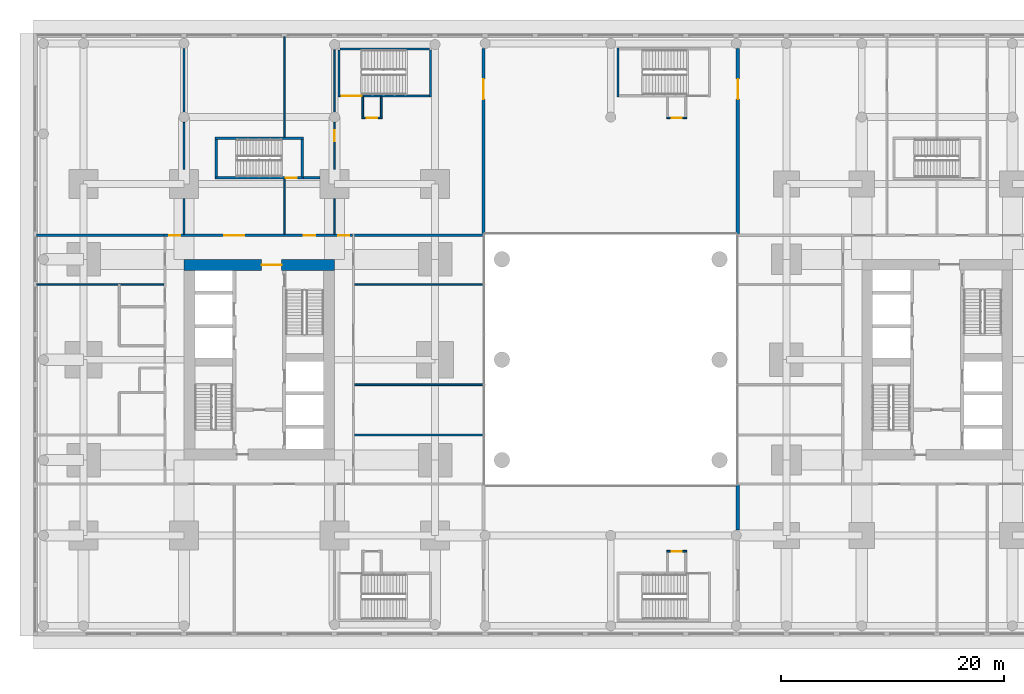
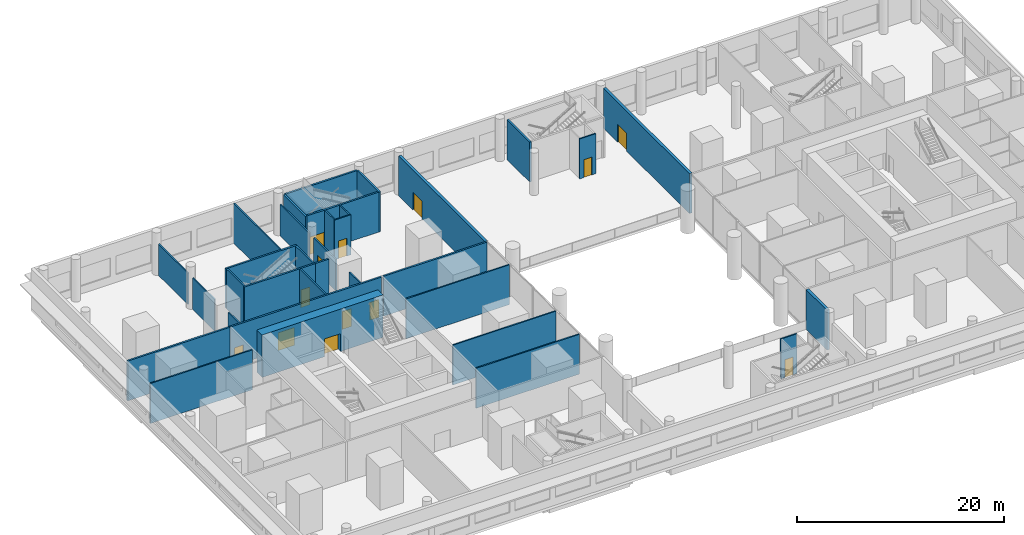
# One storey, part 13 of 22: 34 walls, 13 doors, 13 openings.
"""IFC4 building model written with IfcOpenShell, lengths in metres."""

from ifc_helpers import new_model, si_unit, direction, frame, frame_2d, origin, place, context, subcontext, project, spatial, rectangle, extrude, material, layer, layer_set, type_object, element, fill, save


model = new_model("IFC4")

# Units and contexts
model_context = context("Model", 3, precision=1e-05, world=origin(), true_north=direction((0.0, 1.0)))
body_context = subcontext(model_context, "Body", "Model", "MODEL_VIEW")
ifc_project = project(units=[si_unit("LENGTHUNIT", "METRE"), si_unit("AREAUNIT", "SQUARE_METRE"), si_unit("VOLUMEUNIT", "CUBIC_METRE"), si_unit("PLANEANGLEUNIT", "RADIAN"), si_unit("MASSUNIT", "GRAM", prefix="KILO")], contexts=[model_context])

# Site, building, storey
site_placement = place(None, origin())
site = spatial("IfcSite", under=ifc_project, at=site_placement, CompositionType="ELEMENT")
building_placement = place(site_placement, origin())
building = spatial("IfcBuilding", under=site, at=building_placement, Name="Namib Vertical Campus", CompositionType="ELEMENT")
storey_placement = place(building_placement, frame((0.0, 0.0, 11.0)))
storey = spatial("IfcBuildingStorey", under=building, at=storey_placement, Name="L02", CompositionType="ELEMENT", Elevation=11.0)

# Wall, opening, door
ifc_material_1 = material(Name="Concrete C60/75", Category="concrete")
ifc_layer_1 = layer(ifc_material_1, 1.0)
ifc_layer_set_1 = layer_set([ifc_layer_1], Name="Concrete C60/75")
wall_type_1 = type_object("IfcWallType", Name="Core wall 1000", PredefinedType="SHEAR", material=ifc_layer_set_1)
wall_1_placement = place(storey_placement, frame((27.0, 28.75, 0.0), z_axis=(0.0, 0.0, 1.0), x_axis=(-1.0, 0.0, 0.0)))
wall_1 = element("IfcWall", 1, at=wall_1_placement, inside=storey, type_object=wall_type_1, Name="Core wall A L02 3", PredefinedType="SHEAR", context=body_context, shape_type="SweptSolid", body=[
    extrude(rectangle(XDim=13.5, YDim=1.0, at=frame_2d((6.75, 0.0))), origin(), (0.0, 0.0, 1.0), 5.0),
])
opening_1_placement = place(wall_1_placement, frame((4.75, 0.0, 0.0)))
opening_1 = element("IfcOpeningElement", 2, at=opening_1_placement, cuts=wall_1, Name="Opening FD2", PredefinedType="OPENING", context=body_context, shape_type="SweptSolid", body=[
    extrude(rectangle(XDim=1.800048828125, YDim=2.10009765625, at=frame_2d((0.89990234375, 1.050048828125))), frame((0.0, 0.510009765625, 0.0), z_axis=(0.0, -1.0, 0.0), x_axis=(1.0, 0.0, 0.0)), (0.0, 0.0, 1.0), 1.02001953125),
])
ifc_material_2 = material(Name="Steel fire door", Category="steel")
door_type_1 = type_object("IfcDoorType", Name="Fire door double 1800x2100", OperationType="DOUBLE_DOOR_SINGLE_SWING", PredefinedType="DOOR", material=ifc_material_2)
door_1_placement = place(opening_1_placement, origin())
door_1 = element("IfcDoor", 3, at=door_1_placement, inside=storey, type_object=door_type_1, Name="Lift lobby door FD2 A L02", OperationType="DOUBLE_DOOR_SINGLE_SWING", OverallHeight=2.10009765625, OverallWidth=1.800048828125, PredefinedType="DOOR", context=body_context, shape_type="SweptSolid", body=[
    extrude(rectangle(XDim=1.800048828125, YDim=2.10009765625, at=frame_2d((0.89990234375, 1.050048828125))), frame((0.0, 0.02490234375, 0.0), z_axis=(0.0, -1.0, 0.0), x_axis=(1.0, 0.0, 0.0)), (0.0, 0.0, 1.0), 0.050048828125),
])
fill(opening_1, door_1)

# Wall, openings, doors
ifc_material_3 = material(Name="Concrete masonry", Category="masonry")
ifc_layer_2 = layer(ifc_material_3, 0.199951171875)
ifc_layer_set_2 = layer_set([ifc_layer_2], Name="Corridor wall 200")
wall_type_2 = type_object("IfcWallType", Name="Corridor wall 200", PredefinedType="SOLIDWALL", material=ifc_layer_set_2)
wall_2_placement = place(storey_placement, frame((28.60009765625, 31.39990234375, 0.0), z_axis=(0.0, 0.0, 1.0), x_axis=(-1.0, 0.0, 0.0)))
wall_2 = element("IfcWall", 4, at=wall_2_placement, inside=storey, type_object=wall_type_2, Name="Corridor wall A L02 CN", PredefinedType="SOLIDWALL", context=body_context, shape_type="SweptSolid", body=[
    extrude(rectangle(XDim=16.900146484375, YDim=0.199951171875, at=frame_2d((8.4501953125, 0.0))), origin(), (0.0, 0.0, 1.0), 4.699951171875),
])
opening_2_placement = place(wall_2_placement, frame((15.425048828125, 0.0, 0.0)))
opening_2 = element("IfcOpeningElement", 5, at=opening_2_placement, cuts=wall_2, Name="Opening CD1", PredefinedType="OPENING", context=body_context, shape_type="SweptSolid", body=[
    extrude(rectangle(XDim=1.0, YDim=2.10009765625, at=frame_2d((0.5, 1.050048828125))), frame((0.0, 0.10986328125, 0.0), z_axis=(0.0, -1.0, 0.0), x_axis=(1.0, 0.0, 0.0)), (0.0, 0.0, 1.0), 0.219970703125),
])
opening_3_placement = place(wall_2_placement, frame((9.699951171875, 0.0, 0.0)))
opening_3 = element("IfcOpeningElement", 6, at=opening_3_placement, cuts=wall_2, Name="Opening CD2", PredefinedType="OPENING", context=body_context, shape_type="SweptSolid", body=[
    extrude(rectangle(XDim=1.800048828125, YDim=2.10009765625, at=frame_2d((0.89990234375, 1.050048828125))), frame((0.0, 0.10986328125, 0.0), z_axis=(0.0, -1.0, 0.0), x_axis=(1.0, 0.0, 0.0)), (0.0, 0.0, 1.0), 0.219970703125),
])
opening_4_placement = place(wall_2_placement, frame((3.35009765625, 0.0, 0.0)))
opening_4 = element("IfcOpeningElement", 7, at=opening_4_placement, cuts=wall_2, Name="Opening CD1", PredefinedType="OPENING", context=body_context, shape_type="SweptSolid", body=[
    extrude(rectangle(XDim=1.0, YDim=2.10009765625, at=frame_2d((0.5, 1.050048828125))), frame((0.0, 0.10986328125, 0.0), z_axis=(0.0, -1.0, 0.0), x_axis=(1.0, 0.0, 0.0)), (0.0, 0.0, 1.0), 0.219970703125),
])
opening_5_placement = place(wall_2_placement, frame((0.27490234375, 0.0, 0.0)))
opening_5 = element("IfcOpeningElement", 8, at=opening_5_placement, cuts=wall_2, Name="Opening CD1", PredefinedType="OPENING", context=body_context, shape_type="SweptSolid", body=[
    extrude(rectangle(XDim=1.0, YDim=2.10009765625, at=frame_2d((0.5, 1.050048828125))), frame((0.0, 0.10986328125, 0.0), z_axis=(0.0, -1.0, 0.0), x_axis=(1.0, 0.0, 0.0)), (0.0, 0.0, 1.0), 0.219970703125),
])
ifc_material_4 = material(Name="Timber fire door leaf", Category="wood")
door_type_2 = type_object("IfcDoorType", Name="Corridor door 1000x2100 20 min", OperationType="SINGLE_SWING_LEFT", PredefinedType="DOOR", material=ifc_material_4)
door_2_placement = place(opening_2_placement, frame((1.0, 0.0, 0.0), z_axis=(0.0, 0.0, 1.0), x_axis=(-1.0, 0.0, 0.0)))
door_2 = element("IfcDoor", 9, at=door_2_placement, inside=storey, type_object=door_type_2, Name="Door CD1 A02-08", OperationType="SINGLE_SWING_RIGHT", OverallHeight=2.10009765625, OverallWidth=1.0, PredefinedType="DOOR", context=body_context, shape_type="SweptSolid", body=[
    extrude(rectangle(XDim=1.0, YDim=2.10009765625, at=frame_2d((0.5, 1.050048828125))), frame((0.0, 0.02490234375, 0.0), z_axis=(0.0, -1.0, 0.0), x_axis=(1.0, 0.0, 0.0)), (0.0, 0.0, 1.0), 0.050048828125),
])
fill(opening_2, door_2)
door_3_placement = place(opening_4_placement, frame((1.0, 0.0, 0.0), z_axis=(0.0, 0.0, 1.0), x_axis=(-1.0, 0.0, 0.0)))
door_3 = element("IfcDoor", 10, at=door_3_placement, inside=storey, type_object=door_type_2, Name="Door CD1 A02-10", OperationType="SINGLE_SWING_LEFT", OverallHeight=2.10009765625, OverallWidth=1.0, PredefinedType="DOOR", context=body_context, shape_type="SweptSolid", body=[
    extrude(rectangle(XDim=1.0, YDim=2.10009765625, at=frame_2d((0.5, 1.050048828125))), frame((0.0, 0.02490234375, 0.0), z_axis=(0.0, -1.0, 0.0), x_axis=(1.0, 0.0, 0.0)), (0.0, 0.0, 1.0), 0.050048828125),
])
fill(opening_4, door_3)
door_4_placement = place(opening_5_placement, origin())
door_4 = element("IfcDoor", 11, at=door_4_placement, inside=storey, type_object=door_type_2, Name="Door CD1 A02-11", OperationType="SINGLE_SWING_RIGHT", OverallHeight=2.10009765625, OverallWidth=1.0, PredefinedType="DOOR", context=body_context, shape_type="SweptSolid", body=[
    extrude(rectangle(XDim=1.0, YDim=2.10009765625, at=frame_2d((0.5, 1.050048828125))), frame((0.0, 0.02490234375, 0.0), z_axis=(0.0, -1.0, 0.0), x_axis=(1.0, 0.0, 0.0)), (0.0, 0.0, 1.0), 0.050048828125),
])
fill(opening_5, door_4)
ifc_material_5 = material(Name="Timber fire door leaf", Category="wood")
door_type_3 = type_object("IfcDoorType", Name="Corridor door double 1800x2100 20 min", OperationType="DOUBLE_DOOR_SINGLE_SWING", PredefinedType="DOOR", material=ifc_material_5)
door_5_placement = place(opening_3_placement, frame((1.800048828125, 0.0, 0.0), z_axis=(0.0, 0.0, 1.0), x_axis=(-1.0, 0.0, 0.0)))
door_5 = element("IfcDoor", 12, at=door_5_placement, inside=storey, type_object=door_type_3, Name="Door CD2 A02-09", OperationType="DOUBLE_DOOR_SINGLE_SWING", OverallHeight=2.10009765625, OverallWidth=1.800048828125, PredefinedType="DOOR", context=body_context, shape_type="SweptSolid", body=[
    extrude(rectangle(XDim=1.800048828125, YDim=2.10009765625, at=frame_2d((0.89990234375, 1.050048828125))), frame((0.0, 0.02490234375, 0.0), z_axis=(0.0, -1.0, 0.0), x_axis=(1.0, 0.0, 0.0)), (0.0, 0.0, 1.0), 0.050048828125),
])
fill(opening_3, door_5)

# Walls
wall_3_placement = place(storey_placement, frame((0.300048828125, 31.39990234375, 0.0), z_axis=(0.0, 0.0, 1.0), x_axis=(1.0, 0.0, 0.0)))
element("IfcWall", 13, at=wall_3_placement, inside=storey, type_object=wall_type_2, Name="Partition A L02 BNW", PredefinedType="SOLIDWALL", context=body_context, shape_type="SweptSolid", body=[
    extrude(rectangle(XDim=11.39990234375, YDim=0.199951171875, at=frame_2d((5.699951171875, 0.0))), origin(), (0.0, 0.0, 1.0), 4.699951171875),
])
wall_4_placement = place(storey_placement, frame((28.800048828125, 31.39990234375, 0.0), z_axis=(0.0, 0.0, 1.0), x_axis=(1.0, 0.0, 0.0)))
element("IfcWall", 14, at=wall_4_placement, inside=storey, type_object=wall_type_2, Name="Partition A L02 BNE", PredefinedType="SOLIDWALL", context=body_context, shape_type="SweptSolid", body=[
    extrude(rectangle(XDim=11.52001953125, YDim=0.199951171875, at=frame_2d((5.760009765625, 0.0))), origin(), (0.0, 0.0, 1.0), 4.699951171875),
])
wall_5_placement = place(storey_placement, frame((24.199951171875, 36.550048828125, 0.0), z_axis=(0.0, 0.0, 1.0), x_axis=(1.0, 0.0, 0.0)))
element("IfcWall", 15, at=wall_5_placement, inside=storey, type_object=wall_type_2, Name="Lobby wall A-S3 L02", PredefinedType="SOLIDWALL", context=body_context, shape_type="SweptSolid", body=[
    extrude(rectangle(XDim=1.47998046875, YDim=0.199951171875, at=frame_2d((0.739990234375, 0.0))), origin(), (0.0, 0.0, 1.0), 4.699951171875),
])

# Wall, opening, door
ifc_material_6 = material(Name="Concrete masonry", Category="masonry")
ifc_layer_3 = layer(ifc_material_6, 0.300048828125)
ifc_layer_set_3 = layer_set([ifc_layer_3], Name="Fire wall 300")
wall_type_3 = type_object("IfcWallType", Name="Fire wall 300", PredefinedType="SOLIDWALL", material=ifc_layer_set_3)
wall_6_placement = place(storey_placement, frame((40.35009765625, 31.5, 0.0), z_axis=(0.0, 0.0, 1.0), x_axis=(0.0, 1.0, 0.0)))
wall_6 = element("IfcWall", 16, at=wall_6_placement, inside=storey, type_object=wall_type_3, Name="Fire wall A L02", PredefinedType="SOLIDWALL", context=body_context, shape_type="SweptSolid", body=[
    extrude(rectangle(XDim=16.6298828125, YDim=0.300048828125, at=frame_2d((8.31494140625, 0.0))), origin(), (0.0, 0.0, 1.0), 4.699951171875),
])
opening_6_placement = place(wall_6_placement, frame((12.10009765625, 0.0, 0.0)))
opening_6 = element("IfcOpeningElement", 17, at=opening_6_placement, cuts=wall_6, Name="Opening FD2", PredefinedType="OPENING", context=body_context, shape_type="SweptSolid", body=[
    extrude(rectangle(XDim=1.800048828125, YDim=2.10009765625, at=frame_2d((0.89990234375, 1.050048828125))), frame((0.0, 0.159912109375, 0.0), z_axis=(0.0, -1.0, 0.0), x_axis=(1.0, 0.0, 0.0)), (0.0, 0.0, 1.0), 0.320068359375),
])
door_6_placement = place(opening_6_placement, origin())
door_6 = element("IfcDoor", 18, at=door_6_placement, inside=storey, type_object=door_type_1, Name="Door FD2 middle A L02 2", OperationType="DOUBLE_DOOR_SINGLE_SWING", OverallHeight=2.10009765625, OverallWidth=1.800048828125, PredefinedType="DOOR", context=body_context, shape_type="SweptSolid", body=[
    extrude(rectangle(XDim=1.800048828125, YDim=2.10009765625, at=frame_2d((0.89990234375, 1.050048828125))), frame((0.0, 0.02490234375, 0.0), z_axis=(0.0, -1.0, 0.0), x_axis=(1.0, 0.0, 0.0)), (0.0, 0.0, 1.0), 0.050048828125),
])
fill(opening_6, door_6)

# Wall
wall_7_placement = place(storey_placement, frame((63.14990234375, 4.969970703125, 0.0), z_axis=(0.0, 0.0, 1.0), x_axis=(0.0, 1.0, 0.0)))
element("IfcWall", 19, at=wall_7_placement, inside=storey, type_object=wall_type_3, Name="Fire wall B L02", PredefinedType="SOLIDWALL", context=body_context, shape_type="SweptSolid", body=[
    extrude(rectangle(XDim=4.030029296875, YDim=0.300048828125, at=frame_2d((2.01513671875, 0.0))), origin(), (0.0, 0.0, 1.0), 4.699951171875),
])

# Wall, opening, door
wall_8_placement = place(storey_placement, frame((63.14990234375, 31.5, 0.0), z_axis=(0.0, 0.0, 1.0), x_axis=(0.0, 1.0, 0.0)))
wall_8 = element("IfcWall", 20, at=wall_8_placement, inside=storey, type_object=wall_type_3, Name="Fire wall B L02", PredefinedType="SOLIDWALL", context=body_context, shape_type="SweptSolid", body=[
    extrude(rectangle(XDim=16.6298828125, YDim=0.300048828125, at=frame_2d((8.31494140625, 0.0))), origin(), (0.0, 0.0, 1.0), 4.699951171875),
])
opening_7_placement = place(wall_8_placement, frame((12.10009765625, 0.0, 0.0)))
opening_7 = element("IfcOpeningElement", 21, at=opening_7_placement, cuts=wall_8, Name="Opening FD2", PredefinedType="OPENING", context=body_context, shape_type="SweptSolid", body=[
    extrude(rectangle(XDim=1.800048828125, YDim=2.10009765625, at=frame_2d((0.89990234375, 1.050048828125))), frame((0.0, 0.159912109375, 0.0), z_axis=(0.0, -1.0, 0.0), x_axis=(1.0, 0.0, 0.0)), (0.0, 0.0, 1.0), 0.320068359375),
])
door_7_placement = place(opening_7_placement, origin())
door_7 = element("IfcDoor", 22, at=door_7_placement, inside=storey, type_object=door_type_1, Name="Door FD2 middle B L02 2", OperationType="DOUBLE_DOOR_SINGLE_SWING", OverallHeight=2.10009765625, OverallWidth=1.800048828125, PredefinedType="DOOR", context=body_context, shape_type="SweptSolid", body=[
    extrude(rectangle(XDim=1.800048828125, YDim=2.10009765625, at=frame_2d((0.89990234375, 1.050048828125))), frame((0.0, 0.02490234375, 0.0), z_axis=(0.0, -1.0, 0.0), x_axis=(1.0, 0.0, 0.0)), (0.0, 0.0, 1.0), 0.050048828125),
])
fill(opening_7, door_7)

# Walls
ifc_material_7 = material(Name="Gypsum board on steel studs", Category="steel")
ifc_layer_4 = layer(ifc_material_7, 0.14990234375)
ifc_layer_set_4 = layer_set([ifc_layer_4], Name="Gypsum board on steel studs")
wall_type_4 = type_object("IfcWallType", Name="Partition 150", PredefinedType="PARTITIONING", material=ifc_layer_set_4)
wall_9_placement = place(storey_placement, frame((13.5, 31.5, 0.0), z_axis=(0.0, 0.0, 1.0), x_axis=(0.0, 1.0, 0.0)))
element("IfcWall", 23, at=wall_9_placement, inside=storey, type_object=wall_type_4, Name="Partition A L02 PN1", PredefinedType="PARTITIONING", context=body_context, shape_type="SweptSolid", body=[
    extrude(rectangle(XDim=3.179931640625, YDim=0.14990234375, at=frame_2d((1.58984375, 0.0))), origin(), (0.0, 0.0, 1.0), 3.800048828125),
])
wall_10_placement = place(storey_placement, frame((13.5, 37.320068359375, 0.0), z_axis=(0.0, 0.0, 1.0), x_axis=(0.0, 1.0, 0.0)))
element("IfcWall", 24, at=wall_10_placement, inside=storey, type_object=wall_type_4, Name="Partition A L02 PN1", PredefinedType="PARTITIONING", context=body_context, shape_type="SweptSolid", body=[
    extrude(rectangle(XDim=4.2099609375, YDim=0.14990234375, at=frame_2d((2.10498046875, 0.0))), origin(), (0.0, 0.0, 1.0), 3.699951171875),
])
wall_11_placement = place(storey_placement, frame((13.5, 42.469970703125, 0.0), z_axis=(0.0, 0.0, 1.0), x_axis=(0.0, 1.0, 0.0)))
element("IfcWall", 25, at=wall_11_placement, inside=storey, type_object=wall_type_4, Name="Partition A L02 PN1", PredefinedType="PARTITIONING", context=body_context, shape_type="SweptSolid", body=[
    extrude(rectangle(XDim=5.659912109375, YDim=0.14990234375, at=frame_2d((2.830078125, 0.0))), origin(), (0.0, 0.0, 1.0), 3.699951171875),
])
wall_12_placement = place(storey_placement, frame((22.5, 31.5, 0.0), z_axis=(0.0, 0.0, 1.0), x_axis=(0.0, 1.0, 0.0)))
element("IfcWall", 26, at=wall_12_placement, inside=storey, type_object=wall_type_4, Name="Partition A L02 PN2", PredefinedType="PARTITIONING", context=body_context, shape_type="SweptSolid", body=[
    extrude(rectangle(XDim=4.949951171875, YDim=0.14990234375, at=frame_2d((2.47509765625, 0.0))), origin(), (0.0, 0.0, 1.0), 4.699951171875),
])
wall_13_placement = place(storey_placement, frame((22.5, 40.199951171875, 0.0), z_axis=(0.0, 0.0, 1.0), x_axis=(0.0, 1.0, 0.0)))
element("IfcWall", 27, at=wall_13_placement, inside=storey, type_object=wall_type_4, Name="Partition A L02 PN2", PredefinedType="PARTITIONING", context=body_context, shape_type="SweptSolid", body=[
    extrude(rectangle(XDim=9.0, YDim=0.14990234375, at=frame_2d((4.5, 0.0))), origin(), (0.0, 0.0, 1.0), 4.699951171875),
])
wall_14_placement = place(storey_placement, frame((27.0, 31.5, 0.0), z_axis=(0.0, 0.0, 1.0), x_axis=(0.0, 1.0, 0.0)))
element("IfcWall", 28, at=wall_14_placement, inside=storey, type_object=wall_type_4, Name="Partition A L02 PN3", PredefinedType="PARTITIONING", context=body_context, shape_type="SweptSolid", body=[
    extrude(rectangle(XDim=3.179931640625, YDim=0.14990234375, at=frame_2d((1.58984375, 0.0))), origin(), (0.0, 0.0, 1.0), 3.800048828125),
])

# Wall, opening, door
wall_15_placement = place(storey_placement, frame((27.0, 37.320068359375, 0.0), z_axis=(0.0, 0.0, 1.0), x_axis=(0.0, 1.0, 0.0)))
wall_15 = element("IfcWall", 29, at=wall_15_placement, inside=storey, type_object=wall_type_4, Name="Partition A L02 PN3", PredefinedType="PARTITIONING", context=body_context, shape_type="SweptSolid", body=[
    extrude(rectangle(XDim=4.2099609375, YDim=0.14990234375, at=frame_2d((2.10498046875, 0.0))), origin(), (0.0, 0.0, 1.0), 3.699951171875),
])
opening_8_placement = place(wall_15_placement, frame((2.5, 0.0, 0.0)))
opening_8 = element("IfcOpeningElement", 30, at=opening_8_placement, cuts=wall_15, Name="Opening D1", PredefinedType="OPENING", context=body_context, shape_type="SweptSolid", body=[
    extrude(rectangle(XDim=1.0, YDim=2.10009765625, at=frame_2d((0.5, 1.050048828125))), frame((0.0, 0.0849609375, 0.0), z_axis=(0.0, -1.0, 0.0), x_axis=(1.0, 0.0, 0.0)), (0.0, 0.0, 1.0), 0.169921875),
])
ifc_material_8 = material(Name="Timber door leaf", Category="wood")
door_type_4 = type_object("IfcDoorType", Name="Door single 1000x2100", OperationType="SINGLE_SWING_LEFT", PredefinedType="DOOR", material=ifc_material_8)
door_8_placement = place(opening_8_placement, origin())
door_8 = element("IfcDoor", 31, at=door_8_placement, inside=storey, type_object=door_type_4, Name="Door D1 A02-20", OperationType="SINGLE_SWING_RIGHT", OverallHeight=2.10009765625, OverallWidth=1.0, PredefinedType="DOOR", context=body_context, shape_type="SweptSolid", body=[
    extrude(rectangle(XDim=1.0, YDim=2.10009765625, at=frame_2d((0.5, 1.050048828125))), frame((0.0, 0.02490234375, 0.0), z_axis=(0.0, -1.0, 0.0), x_axis=(1.0, 0.0, 0.0)), (0.0, 0.0, 1.0), 0.050048828125),
])
fill(opening_8, door_8)

# Walls
wall_16_placement = place(storey_placement, frame((27.0, 42.469970703125, 0.0), z_axis=(0.0, 0.0, 1.0), x_axis=(0.0, 1.0, 0.0)))
element("IfcWall", 32, at=wall_16_placement, inside=storey, type_object=wall_type_4, Name="Partition A L02 PN3", PredefinedType="PARTITIONING", context=body_context, shape_type="SweptSolid", body=[
    extrude(rectangle(XDim=5.56005859375, YDim=0.14990234375, at=frame_2d((2.780029296875, 0.0))), origin(), (0.0, 0.0, 1.0), 3.699951171875),
])
wall_17_placement = place(storey_placement, frame((0.300048828125, 27.0, 0.0), z_axis=(0.0, 0.0, 1.0), x_axis=(1.0, 0.0, 0.0)))
element("IfcWall", 33, at=wall_17_placement, inside=storey, type_object=wall_type_4, Name="Partition A L02 PW2", PredefinedType="PARTITIONING", context=body_context, shape_type="SweptSolid", body=[
    extrude(rectangle(XDim=11.39990234375, YDim=0.14990234375, at=frame_2d((5.699951171875, 0.0))), origin(), (0.0, 0.0, 1.0), 4.699951171875),
])
for number, where, z_axis, x_axis, name in (
    (34, (28.800048828125, 13.5, 0.0), (0.0, 0.0, 1.0), (1.0, 0.0, 0.0), "Partition A L02 PE1"),
    (35, (28.800048828125, 18.0, 0.0), (0.0, 0.0, 1.0), (1.0, 0.0, 0.0), "Partition A L02 PE2"),
    (36, (28.800048828125, 27.0, 0.0), (0.0, 0.0, 1.0), (1.0, 0.0, 0.0), "Partition A L02 PE3"),
):
    element("IfcWall", number, at=place(storey_placement, frame(where, z_axis=z_axis, x_axis=x_axis)), inside=storey, type_object=wall_type_4, Name=name, PredefinedType="PARTITIONING", context=body_context, shape_type="SweptSolid", body=[
        extrude(rectangle(XDim=11.52001953125, YDim=0.14990234375, at=frame_2d((5.760009765625, 0.0))), origin(), (0.0, 0.0, 1.0), 4.699951171875),
    ])
wall_18_placement = place(storey_placement, frame((31.175048828125, 42.0, 0.0), z_axis=(0.0, 0.0, 1.0), x_axis=(0.0, 1.0, 0.0)))
element("IfcWall", 37, at=wall_18_placement, inside=storey, type_object=wall_type_4, Name="Refuge cell partition P-S1 L02", PredefinedType="PARTITIONING", context=body_context, shape_type="SweptSolid", body=[
    extrude(rectangle(XDim=1.800048828125, YDim=0.14990234375, at=frame_2d((0.89990234375, 0.0))), origin(), (0.0, 0.0, 1.0), 4.699951171875),
])

# Wall, opening, door
wall_19_placement = place(storey_placement, frame((29.449951171875, 41.925048828125, 0.0), z_axis=(0.0, 0.0, 1.0), x_axis=(1.0, 0.0, 0.0)))
wall_19 = element("IfcWall", 38, at=wall_19_placement, inside=storey, type_object=wall_type_4, Name="Refuge cell partition P-S1 L02", PredefinedType="PARTITIONING", context=body_context, shape_type="SweptSolid", body=[
    extrude(rectangle(XDim=1.800048828125, YDim=0.14990234375, at=frame_2d((0.89990234375, 0.0))), origin(), (0.0, 0.0, 1.0), 4.699951171875),
])
opening_9_placement = place(wall_19_placement, frame((0.449951171875, 0.0, 0.0)))
opening_9 = element("IfcOpeningElement", 39, at=opening_9_placement, cuts=wall_19, Name="Opening RD2", PredefinedType="OPENING", context=body_context, shape_type="SweptSolid", body=[
    extrude(rectangle(XDim=0.89990234375, YDim=2.10009765625, at=frame_2d((0.449951171875, 1.050048828125))), frame((0.0, 0.0849609375, 0.0), z_axis=(0.0, -1.0, 0.0), x_axis=(1.0, 0.0, 0.0)), (0.0, 0.0, 1.0), 0.169921875),
])
ifc_material_9 = material(Name="Timber fire door leaf", Category="wood")
door_type_5 = type_object("IfcDoorType", Name="Refuge cell door 900x2100 30 min", OperationType="SINGLE_SWING_LEFT", PredefinedType="DOOR", material=ifc_material_9)
door_9_placement = place(opening_9_placement, origin())
door_9 = element("IfcDoor", 40, at=door_9_placement, inside=storey, type_object=door_type_5, Name="Door RD2 Refuge area P-S1 L02", OperationType="SINGLE_SWING_LEFT", OverallHeight=2.10009765625, OverallWidth=0.89990234375, PredefinedType="DOOR", context=body_context, shape_type="SweptSolid", body=[
    extrude(rectangle(XDim=0.89990234375, YDim=2.10009765625, at=frame_2d((0.449951171875, 1.050048828125))), frame((0.0, 0.02490234375, 0.0), z_axis=(0.0, -1.0, 0.0), x_axis=(1.0, 0.0, 0.0)), (0.0, 0.0, 1.0), 0.050048828125),
])
fill(opening_9, door_9)

# Wall
wall_20_placement = place(storey_placement, frame((29.52490234375, 42.0, 0.0), z_axis=(0.0, 0.0, 1.0), x_axis=(0.0, 1.0, 0.0)))
element("IfcWall", 41, at=wall_20_placement, inside=storey, type_object=wall_type_4, Name="Refuge cell partition P-S1 L02", PredefinedType="PARTITIONING", context=body_context, shape_type="SweptSolid", body=[
    extrude(rectangle(XDim=1.800048828125, YDim=0.14990234375, at=frame_2d((0.89990234375, 0.0))), origin(), (0.0, 0.0, 1.0), 4.699951171875),
])

# Wall, opening, door
wall_21_placement = place(storey_placement, frame((56.75, 41.925048828125, 0.0), z_axis=(0.0, 0.0, 1.0), x_axis=(1.0, 0.0, 0.0)))
wall_21 = element("IfcWall", 42, at=wall_21_placement, inside=storey, type_object=wall_type_4, Name="Refuge cell partition P-S3 L02", PredefinedType="PARTITIONING", context=body_context, shape_type="SweptSolid", body=[
    extrude(rectangle(XDim=1.800048828125, YDim=0.14990234375, at=frame_2d((0.89990234375, 0.0))), origin(), (0.0, 0.0, 1.0), 4.699951171875),
])
opening_10_placement = place(wall_21_placement, frame((0.449951171875, 0.0, 0.0)))
opening_10 = element("IfcOpeningElement", 43, at=opening_10_placement, cuts=wall_21, Name="Opening RD2", PredefinedType="OPENING", context=body_context, shape_type="SweptSolid", body=[
    extrude(rectangle(XDim=0.89990234375, YDim=2.10009765625, at=frame_2d((0.449951171875, 1.050048828125))), frame((0.0, 0.0849609375, 0.0), z_axis=(0.0, -1.0, 0.0), x_axis=(1.0, 0.0, 0.0)), (0.0, 0.0, 1.0), 0.169921875),
])
door_10_placement = place(opening_10_placement, origin())
door_10 = element("IfcDoor", 44, at=door_10_placement, inside=storey, type_object=door_type_5, Name="Door RD2 Refuge area P-S3 L02", OperationType="SINGLE_SWING_LEFT", OverallHeight=2.10009765625, OverallWidth=0.89990234375, PredefinedType="DOOR", context=body_context, shape_type="SweptSolid", body=[
    extrude(rectangle(XDim=0.89990234375, YDim=2.10009765625, at=frame_2d((0.449951171875, 1.050048828125))), frame((0.0, 0.02490234375, 0.0), z_axis=(0.0, -1.0, 0.0), x_axis=(1.0, 0.0, 0.0)), (0.0, 0.0, 1.0), 0.050048828125),
])
fill(opening_10, door_10)

wall_22_placement = place(storey_placement, frame((56.75, 3.074951171875, 0.0), z_axis=(0.0, 0.0, 1.0), x_axis=(1.0, 0.0, 0.0)))
wall_22 = element("IfcWall", 45, at=wall_22_placement, inside=storey, type_object=wall_type_4, Name="Refuge cell partition P-S4 L02", PredefinedType="PARTITIONING", context=body_context, shape_type="SweptSolid", body=[
    extrude(rectangle(XDim=1.800048828125, YDim=0.14990234375, at=frame_2d((0.89990234375, 0.0))), origin(), (0.0, 0.0, 1.0), 4.699951171875),
])
opening_11_placement = place(wall_22_placement, frame((0.449951171875, 0.0, 0.0)))
opening_11 = element("IfcOpeningElement", 46, at=opening_11_placement, cuts=wall_22, Name="Opening RD2", PredefinedType="OPENING", context=body_context, shape_type="SweptSolid", body=[
    extrude(rectangle(XDim=0.89990234375, YDim=2.10009765625, at=frame_2d((0.449951171875, 1.050048828125))), frame((0.0, 0.0849609375, 0.0), z_axis=(0.0, -1.0, 0.0), x_axis=(1.0, 0.0, 0.0)), (0.0, 0.0, 1.0), 0.169921875),
])
door_11_placement = place(opening_11_placement, frame((0.89990234375, 0.0, 0.0), z_axis=(0.0, 0.0, 1.0), x_axis=(-1.0, 0.0, 0.0)))
door_11 = element("IfcDoor", 47, at=door_11_placement, inside=storey, type_object=door_type_5, Name="Door RD2 Refuge area P-S4 L02", OperationType="SINGLE_SWING_RIGHT", OverallHeight=2.10009765625, OverallWidth=0.89990234375, PredefinedType="DOOR", context=body_context, shape_type="SweptSolid", body=[
    extrude(rectangle(XDim=0.89990234375, YDim=2.10009765625, at=frame_2d((0.449951171875, 1.050048828125))), frame((0.0, 0.02490234375, 0.0), z_axis=(0.0, -1.0, 0.0), x_axis=(1.0, 0.0, 0.0)), (0.0, 0.0, 1.0), 0.050048828125),
])
fill(opening_11, door_11)

ifc_material_10 = material(Name="Concrete C40/50", Category="concrete")
ifc_layer_5 = layer(ifc_material_10, 0.199951171875)
ifc_layer_set_5 = layer_set([ifc_layer_5], Name="Concrete C40/50")
wall_type_5 = type_object("IfcWallType", Name="Stair enclosure wall RC 200", PredefinedType="SOLIDWALL", material=ifc_layer_set_5)
wall_23_placement = place(storey_placement, frame((27.5, 43.89990234375, 0.0), z_axis=(0.0, 0.0, 1.0), x_axis=(1.0, 0.0, 0.0)))
wall_23 = element("IfcWall", 48, at=wall_23_placement, inside=storey, type_object=wall_type_5, Name="Stair enclosure wall P-S1 L02 room side", PredefinedType="SOLIDWALL", context=body_context, shape_type="SweptSolid", body=[
    extrude(rectangle(XDim=8.0, YDim=0.199951171875, at=frame_2d((4.0, 0.0))), origin(), (0.0, 0.0, 1.0), 4.699951171875),
])
opening_12_placement = place(wall_23_placement, frame((0.14990234375, 0.0, 0.0)))
opening_12 = element("IfcOpeningElement", 49, at=opening_12_placement, cuts=wall_23, Name="Opening FD2", PredefinedType="OPENING", context=body_context, shape_type="SweptSolid", body=[
    extrude(rectangle(XDim=1.800048828125, YDim=2.10009765625, at=frame_2d((0.89990234375, 1.050048828125))), frame((0.0, 0.10986328125, 0.0), z_axis=(0.0, -1.0, 0.0), x_axis=(1.0, 0.0, 0.0)), (0.0, 0.0, 1.0), 0.219970703125),
])
door_12_placement = place(opening_12_placement, origin())
door_12 = element("IfcDoor", 50, at=door_12_placement, inside=storey, type_object=door_type_1, Name="Stair door FD2 P-S1 L02", OperationType="DOUBLE_DOOR_SINGLE_SWING", OverallHeight=2.10009765625, OverallWidth=1.800048828125, PredefinedType="DOOR", context=body_context, shape_type="SweptSolid", body=[
    extrude(rectangle(XDim=1.800048828125, YDim=2.10009765625, at=frame_2d((0.89990234375, 1.050048828125))), frame((0.0, 0.02490234375, 0.0), z_axis=(0.0, -1.0, 0.0), x_axis=(1.0, 0.0, 0.0)), (0.0, 0.0, 1.0), 0.050048828125),
])
fill(opening_12, door_12)

# Walls
wall_24_placement = place(storey_placement, frame((27.5, 48.10009765625, 0.0), z_axis=(0.0, 0.0, 1.0), x_axis=(1.0, 0.0, 0.0)))
element("IfcWall", 51, at=wall_24_placement, inside=storey, type_object=wall_type_5, Name="Stair enclosure wall P-S1 L02 facade side", PredefinedType="SOLIDWALL", context=body_context, shape_type="SweptSolid", body=[
    extrude(rectangle(XDim=8.0, YDim=0.199951171875, at=frame_2d((4.0, 0.0))), origin(), (0.0, 0.0, 1.0), 4.699951171875),
])
for number, where, z_axis, x_axis, name in (
    (52, (27.39990234375, 43.800048828125, 0.0), (0.0, 0.0, 1.0), (0.0, 1.0, 0.0), "Stair enclosure wall P-S1 L02 W"),
    (53, (35.60009765625, 43.800048828125, 0.0), (0.0, 0.0, 1.0), (0.0, 1.0, 0.0), "Stair enclosure wall P-S1 L02 E"),
):
    element("IfcWall", number, at=place(storey_placement, frame(where, z_axis=z_axis, x_axis=x_axis)), inside=storey, type_object=wall_type_5, Name=name, PredefinedType="SOLIDWALL", context=body_context, shape_type="SweptSolid", body=[
        extrude(rectangle(XDim=4.22998046875, YDim=0.199951171875, at=frame_2d((2.114990234375, 0.0))), origin(), (0.0, 0.0, 1.0), 4.699951171875),
    ])
wall_25_placement = place(storey_placement, frame((52.39990234375, 43.800048828125, 0.0), z_axis=(0.0, 0.0, 1.0), x_axis=(0.0, 1.0, 0.0)))
element("IfcWall", 54, at=wall_25_placement, inside=storey, type_object=wall_type_5, Name="Stair enclosure wall P-S3 L02 W", PredefinedType="SOLIDWALL", context=body_context, shape_type="SweptSolid", body=[
    extrude(rectangle(XDim=4.39990234375, YDim=0.199951171875, at=frame_2d((2.199951171875, 0.0))), origin(), (0.0, 0.0, 1.0), 4.699951171875),
])

# Wall, opening, door
wall_26_placement = place(storey_placement, frame((16.300048828125, 36.550048828125, 0.0), z_axis=(0.0, 0.0, 1.0), x_axis=(1.0, 0.0, 0.0)))
wall_26 = element("IfcWall", 55, at=wall_26_placement, inside=storey, type_object=wall_type_5, Name="Stair enclosure wall A-S3 L02 S", PredefinedType="SOLIDWALL", context=body_context, shape_type="SweptSolid", body=[
    extrude(rectangle(XDim=7.89990234375, YDim=0.199951171875, at=frame_2d((3.949951171875, 0.0))), origin(), (0.0, 0.0, 1.0), 4.699951171875),
])
opening_13_placement = place(wall_26_placement, frame((6.300048828125, 0.0, 0.0)))
opening_13 = element("IfcOpeningElement", 56, at=opening_13_placement, cuts=wall_26, Name="Opening FD1", PredefinedType="OPENING", context=body_context, shape_type="SweptSolid", body=[
    extrude(rectangle(XDim=1.0, YDim=2.10009765625, at=frame_2d((0.5, 1.050048828125))), frame((0.0, 0.10986328125, 0.0), z_axis=(0.0, -1.0, 0.0), x_axis=(1.0, 0.0, 0.0)), (0.0, 0.0, 1.0), 0.219970703125),
])
ifc_material_11 = material(Name="Steel fire door", Category="steel")
door_type_6 = type_object("IfcDoorType", Name="Fire door 1000x2100", OperationType="SINGLE_SWING_RIGHT", PredefinedType="DOOR", material=ifc_material_11)
door_13_placement = place(opening_13_placement, origin())
door_13 = element("IfcDoor", 57, at=door_13_placement, inside=storey, type_object=door_type_6, Name="Stair door FD1 A L02 S3", OperationType="SINGLE_SWING_RIGHT", OverallHeight=2.10009765625, OverallWidth=1.0, PredefinedType="DOOR", context=body_context, shape_type="SweptSolid", body=[
    extrude(rectangle(XDim=1.0, YDim=2.10009765625, at=frame_2d((0.5, 1.050048828125))), frame((0.0, 0.02490234375, 0.0), z_axis=(0.0, -1.0, 0.0), x_axis=(1.0, 0.0, 0.0)), (0.0, 0.0, 1.0), 0.050048828125),
])
fill(opening_13, door_13)

# Walls
wall_27_placement = place(storey_placement, frame((16.300048828125, 40.10009765625, 0.0), z_axis=(0.0, 0.0, 1.0), x_axis=(1.0, 0.0, 0.0)))
element("IfcWall", 58, at=wall_27_placement, inside=storey, type_object=wall_type_5, Name="Stair enclosure wall A-S3 L02 N", PredefinedType="SOLIDWALL", context=body_context, shape_type="SweptSolid", body=[
    extrude(rectangle(XDim=7.89990234375, YDim=0.199951171875, at=frame_2d((3.949951171875, 0.0))), origin(), (0.0, 0.0, 1.0), 4.699951171875),
])
for number, where, z_axis, x_axis, name in (
    (59, (16.39990234375, 36.64990234375, 0.0), (0.0, 0.0, 1.0), (0.0, 1.0, 0.0), "Stair enclosure wall A-S3 L02 W"),
    (60, (24.10009765625, 36.64990234375, 0.0), (0.0, 0.0, 1.0), (0.0, 1.0, 0.0), "Stair enclosure wall A-S3 L02 E"),
):
    element("IfcWall", number, at=place(storey_placement, frame(where, z_axis=z_axis, x_axis=x_axis)), inside=storey, type_object=wall_type_5, Name=name, PredefinedType="SOLIDWALL", context=body_context, shape_type="SweptSolid", body=[
        extrude(rectangle(XDim=3.35009765625, YDim=0.199951171875, at=frame_2d((1.675048828125, 0.0))), origin(), (0.0, 0.0, 1.0), 4.699951171875),
    ])

save(model, "model.ifc")
